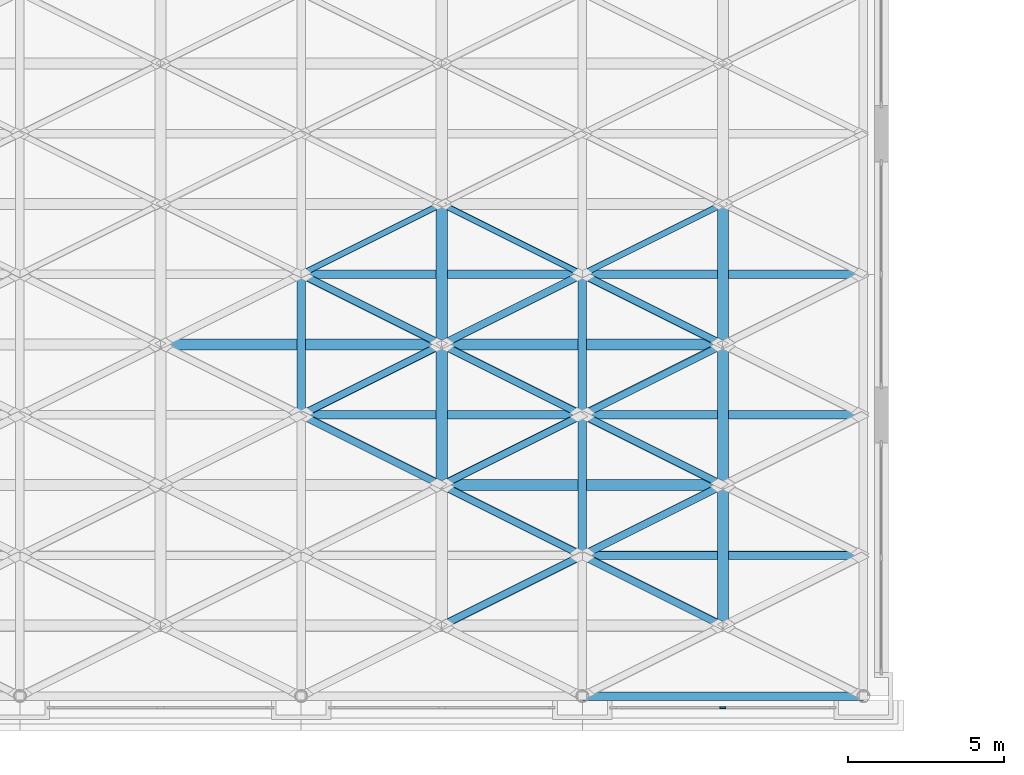
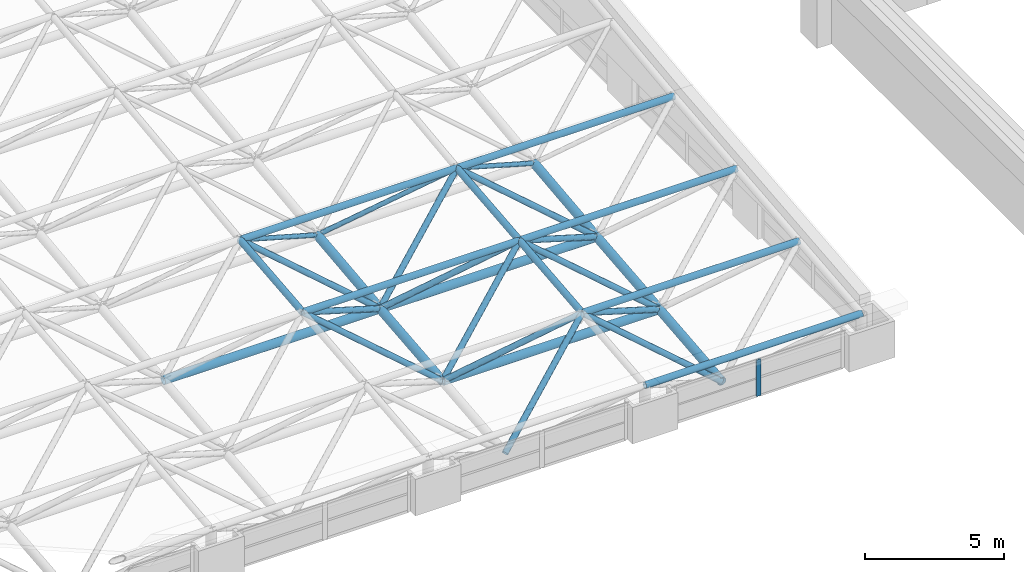
# One storey, part 13 of 53: 34 members, 1 element without a shape of its own.
"""IFC4 building model written with IfcOpenShell, lengths in metres."""

import ifcopenshell
import ifcopenshell.guid

model = None  # the IFC model being written
_history = None  # IfcOwnerHistory: only IFC2X3 demands one
_inside = {}  # id of a spatial element -> (the spatial element, [elements in it])
_under = {}  # id of a project, library or spatial element -> (it, [spatial elements below it])
_declared = {}  # id of a project -> (the project, [libraries it declares])
_typed = {}  # id of a type object -> (the type object, [elements of that type])
_made_of = {}  # id of a material, layer set ... -> (it, [elements and type objects made of it])


def new_model(schema):
    """Start an empty IFC model of exactly this schema.

    Asked for "IFC4X3", IfcOpenShell would pick the latest addendum, in which some entities
    have other attributes; the version numbers below select the first issue.
    IFC2X3 requires an IfcOwnerHistory on every rooted entity: one is made here for all.
    """
    global model, _history
    if schema == "IFC4X3":
        model = ifcopenshell.file(schema_version=(4, 3, 0, 0))
    else:
        model = ifcopenshell.file(schema=schema)
    _inside.clear()
    _under.clear()
    _declared.clear()
    _typed.clear()
    _made_of.clear()
    _history = None
    if model.schema == "IFC2X3":
        org = make("IfcOrganization", Name="unknown")
        user = make(
            "IfcPersonAndOrganization",
            ThePerson=make("IfcPerson", FamilyName="unknown"),
            TheOrganization=org,
        )
        app = make(
            "IfcApplication",
            ApplicationDeveloper=org,
            Version="unknown",
            ApplicationFullName="unknown",
            ApplicationIdentifier="unknown",
        )
        _history = make(
            "IfcOwnerHistory",
            OwningUser=user,
            OwningApplication=app,
            ChangeAction="ADDED",
            CreationDate=0,
        )
    return model


def make(cls, **values):
    """One entity of the class cls with the attributes given. An attribute that is None is left unset."""
    return model.create_entity(
        cls, **{name: value for name, value in values.items() if value is not None}
    )


def rooted(cls, **values):
    """An entity with a GlobalId (a new one), such as an element, a storey or a relation."""
    return make(cls, GlobalId=ifcopenshell.guid.new(), OwnerHistory=_history, **values)


def si_unit(unit_type, name, prefix=None):
    """IfcSIUnit, for example si_unit("LENGTHUNIT", "METRE", prefix="MILLI")."""
    return make("IfcSIUnit", UnitType=unit_type, Prefix=prefix, Name=name)


def assignment(units):
    """IfcUnitAssignment: the units of a project."""
    return None if units is None else make("IfcUnitAssignment", Units=units)


def point(xyz):
    """IfcCartesianPoint."""
    return None if xyz is None else make("IfcCartesianPoint", Coordinates=xyz)


def direction(xyz):
    """IfcDirection."""
    return None if xyz is None else make("IfcDirection", DirectionRatios=xyz)


def frame(location, z_axis=None, x_axis=None):
    """IfcAxis2Placement3D, a coordinate frame: its origin and axes. An axis left out is left unset."""
    return make(
        "IfcAxis2Placement3D",
        Location=point(location),
        Axis=direction(z_axis),
        RefDirection=direction(x_axis),
    )


def frame_2d(location, x_axis=None):
    """IfcAxis2Placement2D, a coordinate frame in the plane: its origin and x axis."""
    return make(
        "IfcAxis2Placement2D", Location=point(location), RefDirection=direction(x_axis)
    )


def origin():
    """The frame at (0, 0, 0) with its axes left unset."""
    return frame((0.0, 0.0, 0.0))


def origin_2d():
    """The frame at (0, 0) in the plane with its x axis left unset."""
    return frame_2d((0.0, 0.0))


def place(relative_to, where):
    """IfcLocalPlacement: puts the frame where relative to a parent placement (None: the world)."""
    return make(
        "IfcLocalPlacement", PlacementRelTo=relative_to, RelativePlacement=where
    )


def context(
    kind, dimensions, precision=None, world=None, true_north=None, identifier=None
):
    """IfcGeometricRepresentationContext, for example the 3D "Model" context."""
    return make(
        "IfcGeometricRepresentationContext",
        ContextIdentifier=identifier,
        ContextType=kind,
        CoordinateSpaceDimension=dimensions,
        Precision=precision,
        WorldCoordinateSystem=world,
        TrueNorth=true_north,
    )


def subcontext(parent, identifier, kind, view, scale=None):
    """IfcGeometricRepresentationSubContext, for example "Body" below "Model"."""
    return make(
        "IfcGeometricRepresentationSubContext",
        ContextIdentifier=identifier,
        ContextType=kind,
        ParentContext=parent,
        TargetScale=scale,
        TargetView=view,
    )


def project(units=None, contexts=None):
    """IfcProject with its units and contexts."""
    return rooted(
        "IfcProject",
        Name="project",
        RepresentationContexts=contexts,
        UnitsInContext=assignment(units),
    )


def spatial(cls, under=None, at=None, **own):
    """A site, building, storey or space (cls), placed at a placement, below another one or the project."""
    s = rooted(cls, ObjectPlacement=at, **own)
    if under is not None:
        _under.setdefault(under.id(), (under, []))[1].append(s)
    return s


def profile(cls, at=None, kind="AREA", **sizes):
    """A parametric profile (cls). Its sizes go by their IFC names, for example OverallWidth=200.0."""
    return make(cls, ProfileType=kind, Position=at, **sizes)


def rectangle(**sizes):
    """IfcRectangleProfileDef."""
    return profile("IfcRectangleProfileDef", **sizes)


def hollow_circle(**sizes):
    """IfcCircleHollowProfileDef."""
    return profile("IfcCircleHollowProfileDef", **sizes)


def extrude(swept, where, along, depth):
    """IfcExtrudedAreaSolid: the profile swept, set in the frame where, extruded along a direction by depth."""
    return make(
        "IfcExtrudedAreaSolid",
        SweptArea=swept,
        Position=where,
        ExtrudedDirection=direction(along),
        Depth=depth,
    )


def shape(context_of_items, identifier, shape_type, items):
    """IfcShapeRepresentation: the items that make up one representation, for example the "Body"."""
    return make(
        "IfcShapeRepresentation",
        ContextOfItems=context_of_items,
        RepresentationIdentifier=identifier,
        RepresentationType=shape_type,
        Items=items,
    )


def material(Name=None, Category=None):
    """IfcMaterial."""
    return make("IfcMaterial", Name=Name, Category=Category)


def material_profile(
    of_material, cross_section, Name=None, Category=None, Priority=None
):
    """IfcMaterialProfile: a cross section and its material."""
    return make(
        "IfcMaterialProfile",
        Name=Name,
        Material=of_material,
        Profile=cross_section,
        Priority=Priority,
        Category=Category,
    )


def profile_set(profiles, Name=None, composite=None):
    """IfcMaterialProfileSet."""
    return make(
        "IfcMaterialProfileSet",
        Name=Name,
        MaterialProfiles=profiles,
        CompositeProfile=composite,
    )


def made_of(thing, what):
    """Note that an element or type object is made of a material, layer set ...; save() writes the relation."""
    if what is not None:
        _made_of.setdefault(what.id(), (what, []))[1].append(thing)
    return thing


def type_object(cls, material=None, **own):
    """A type object (cls), such as IfcWallType, which elements share."""
    return made_of(rooted(cls, **own), material)


def element(
    cls,
    number,
    at=None,
    inside=None,
    cuts=None,
    type_object=None,
    material=None,
    context=None,
    identifier="Body",
    shape_type=None,
    held_by="IfcProductDefinitionShape",
    body=None,
    shapes=None,
    **own,
):
    """One element of the class cls, such as IfcWall. Its Tag is "e" and its number.

    at: its placement. inside: the storey or other place that contains it. cuts: it is an
    opening in that element (IfcRelVoidsElement). A single representation is given by context,
    identifier, shape_type and body (its items); several are given by shapes. held_by: the class
    of the entity that holds the representations. save() writes the other relations.
    """
    e = rooted(cls, Tag="e%d" % number, ObjectPlacement=at, **own)
    if body is not None:
        shapes = [shape(context, identifier, shape_type, body)]
    if shapes is not None:
        e.Representation = make(held_by, Representations=shapes)
    if inside is not None:
        _inside.setdefault(inside.id(), (inside, []))[1].append(e)
    if cuts is not None:
        rooted(
            "IfcRelVoidsElement", RelatingBuildingElement=cuts, RelatedOpeningElement=e
        )
    if type_object is not None:
        _typed.setdefault(type_object.id(), (type_object, []))[1].append(e)
    return made_of(e, material)


def aggregate(whole, parts):
    """IfcRelAggregates: a whole, such as a stair, and the parts it consists of."""
    return rooted("IfcRelAggregates", RelatingObject=whole, RelatedObjects=parts)


def save(model, path):
    """Write the relations noted so far, then the file.

    IfcRelAggregates (storeys below a building ...), IfcRelContainedInSpatialStructure (elements
    in a storey), IfcRelDefinesByType, IfcRelAssociatesMaterial and IfcRelDeclares: one each for
    every whole, place, type object, material and project.
    """
    for whole, parts in _under.values():
        aggregate(whole, parts)
    for where, things in _inside.values():
        rooted(
            "IfcRelContainedInSpatialStructure",
            RelatedElements=things,
            RelatingStructure=where,
        )
    for kind, things in _typed.values():
        rooted("IfcRelDefinesByType", RelatedObjects=things, RelatingType=kind)
    for what, things in _made_of.values():
        rooted("IfcRelAssociatesMaterial", RelatedObjects=things, RelatingMaterial=what)
    for by, libraries in _declared.values():
        rooted("IfcRelDeclares", RelatingContext=by, RelatedDefinitions=libraries)
    model.write(path)


model = new_model("IFC4")

# Units and contexts
model_context = context("Model", 3, precision=1e-05, world=origin(), true_north=direction((0.0, 1.0)))
body_context = subcontext(model_context, "Body", "Model", "MODEL_VIEW")
ifc_project = project(units=[si_unit("LENGTHUNIT", "METRE"), si_unit("AREAUNIT", "SQUARE_METRE"), si_unit("VOLUMEUNIT", "CUBIC_METRE"), si_unit("PLANEANGLEUNIT", "RADIAN"), si_unit("MASSUNIT", "GRAM", prefix="KILO")], contexts=[model_context])

# Site, building, storey
site_placement = place(None, origin())
site = spatial("IfcSite", under=ifc_project, at=site_placement, CompositionType="ELEMENT")
building_placement = place(site_placement, origin())
building = spatial("IfcBuilding", under=site, at=building_placement, Name="Aravalli Gate Trade Fair Centre", CompositionType="ELEMENT")
storey_placement = place(building_placement, frame((0.0, 0.0, 25.199951171875)))
storey = spatial("IfcBuildingStorey", under=building, at=storey_placement, Name="ROOF LEVEL 2", CompositionType="ELEMENT", Elevation=25.199951171875)

# Members
ifc_material_1 = material(Name="Steel E350", Category="steel")
ifc_material_profile_1 = material_profile(ifc_material_1, hollow_circle(Radius=0.096923828125, WallThickness=0.00634765625, at=origin_2d()), Name="CHS 193.7x6.3")
ifc_profile_set_1 = profile_set([ifc_material_profile_1], Name="Steel E350")
member_type_1 = type_object("IfcMemberType", Name="CHS 193.7x6.3", PredefinedType="BRACE", material=ifc_profile_set_1)
for number, where, z_axis, x_axis, name in (
    (1, (87.0, 59.5, 3.150146484375), (0.786469857322, 0.393234928661, -0.476268258867), (-0.4472135955, 0.894427191, 0.0), "Space frame web diagonal D2A"),
    (2, (96.0, 59.5, 3.150146484375), (0.786469857322, 0.393234928661, -0.476268258867), (-0.4472135955, 0.894427191, 0.0), "Space frame web diagonal D2A"),
    (3, (96.0, 59.5, 3.150146484375), (-0.786469857322, 0.393234928661, -0.476268258867), (-0.4472135955, -0.894427191, 0.0), "Space frame web diagonal D2B"),
):
    element("IfcMember", number, at=place(storey_placement, frame(where, z_axis=z_axis, x_axis=x_axis)), inside=storey, type_object=member_type_1, Name=name, PredefinedType="BRACE", context=body_context, shape_type="SweptSolid", body=[
        extrude(hollow_circle(Radius=0.096923828125, WallThickness=0.00634765625, at=origin_2d()), origin(), (0.0, 0.0, 1.0), 5.7216796875),
    ])
ifc_material_profile_2 = material_profile(ifc_material_1, hollow_circle(Radius=0.122314453125, WallThickness=0.008056640625, at=origin_2d()), Name="CHS 244.5x8")
ifc_profile_set_2 = profile_set([ifc_material_profile_2], Name="Steel E350")
member_type_2 = type_object("IfcMemberType", Name="CHS 244.5x8", PredefinedType="BRACE", material=ifc_profile_set_2)
for number, where, z_axis, x_axis, name in (
    (4, (96.0, 50.5, 2.25), (0.783200147531, 0.391600073766, -0.48295642778), (-0.4472135955, 0.894427191, 0.0), "Space frame web diagonal D1A"),
    (5, (87.0, 55.0, 2.699951171875), (0.783200147531, 0.391600073766, -0.48295642778), (-0.4472135955, 0.894427191, 0.0), "Space frame web diagonal D1A"),
    (6, (96.0, 55.0, 2.699951171875), (0.783200147531, 0.391600073766, -0.48295642778), (-0.4472135955, 0.894427191, 0.0), "Space frame web diagonal D1A"),
    (7, (96.0, 50.5, 2.25), (-0.783200147531, 0.391600073766, -0.48295642778), (-0.4472135955, -0.894427191, 0.0), "Space frame web diagonal D1B"),
    (8, (96.0, 55.0, 2.699951171875), (-0.783200147531, 0.391600073766, -0.48295642778), (-0.4472135955, -0.894427191, 0.0), "Space frame web diagonal D1B"),
):
    element("IfcMember", number, at=place(storey_placement, frame(where, z_axis=z_axis, x_axis=x_axis)), inside=storey, type_object=member_type_2, Name=name, PredefinedType="BRACE", context=body_context, shape_type="SweptSolid", body=[
        extrude(hollow_circle(Radius=0.122314453125, WallThickness=0.008056640625, at=origin_2d()), origin(), (0.0, 0.0, 1.0), 5.74560546875),
    ])
for number, where, z_axis, x_axis, name in (
    (9, (96.0, 50.5, 2.25), (0.753016221047, -0.376508110523, -0.539637112837), (0.4472135955, 0.894427191, 0.0), "Space frame web diagonal D1C"),
    (10, (87.0, 55.0, 2.699951171875), (0.753016221047, -0.376508110523, -0.539637112837), (0.4472135955, 0.894427191, 0.0), "Space frame web diagonal D1C"),
    (11, (96.0, 55.0, 2.699951171875), (0.753016221047, -0.376508110523, -0.539637112837), (0.4472135955, 0.894427191, 0.0), "Space frame web diagonal D1C"),
    (12, (87.0, 59.5, 3.150146484375), (0.752999619823, -0.376499809912, -0.539666068678), (0.4472135955, 0.894427191, 0.0), "Space frame web diagonal D1C"),
    (13, (96.0, 59.5, 3.150146484375), (0.752999619823, -0.376499809912, -0.539666068678), (0.4472135955, 0.894427191, 0.0), "Space frame web diagonal D1C"),
    (14, (96.0, 50.5, 2.25), (-0.753016221047, -0.376508110523, -0.539637112837), (0.4472135955, -0.894427191, 0.0), "Space frame web diagonal D1D"),
    (15, (96.0, 55.0, 2.699951171875), (-0.753016221047, -0.376508110523, -0.539637112837), (0.4472135955, -0.894427191, 0.0), "Space frame web diagonal D1D"),
    (16, (96.0, 59.5, 3.150146484375), (-0.752999619823, -0.376499809912, -0.539666068678), (0.4472135955, -0.894427191, 0.0), "Space frame web diagonal D1D"),
):
    element("IfcMember", number, at=place(storey_placement, frame(where, z_axis=z_axis, x_axis=x_axis)), inside=storey, type_object=member_type_2, Name=name, PredefinedType="BRACE", context=body_context, shape_type="SweptSolid", body=[
        extrude(hollow_circle(Radius=0.122314453125, WallThickness=0.008056640625, at=origin_2d()), origin(), (0.0, 0.0, 1.0), 5.97607421875),
    ])
ifc_material_profile_3 = material_profile(ifc_material_1, hollow_circle(Radius=0.136474609375, WallThickness=0.010009765625, at=origin_2d()), Name="CHS 273.1x10")
ifc_profile_set_3 = profile_set([ifc_material_profile_3], Name="Steel E350")
member_type_3 = type_object("IfcMemberType", Name="CHS 273.1x10", PredefinedType="CHORD", material=ifc_profile_set_3)
for number, where, z_axis, x_axis, name in (
    (17, (96.0, 50.5, 2.25), (1.0, 0.0, 0.0), (0.0, 1.0, 0.0), "Space frame top chord along the lines T1"),
    (18, (87.0, 55.0, 2.699951171875), (1.0, 0.0, 0.0), (0.0, 1.0, 0.0), "Space frame top chord along the lines T1"),
    (19, (96.0, 55.0, 2.699951171875), (1.0, 0.0, 0.0), (0.0, 1.0, 0.0), "Space frame top chord along the lines T1"),
    (20, (87.0, 59.5, 3.150146484375), (1.0, 0.0, 0.0), (0.0, 1.0, 0.0), "Space frame top chord along the lines T2"),
    (21, (96.0, 59.5, 3.150146484375), (1.0, 0.0, 0.0), (0.0, 1.0, 0.0), "Space frame top chord along the lines T2"),
):
    element("IfcMember", number, at=place(storey_placement, frame(where, z_axis=z_axis, x_axis=x_axis)), inside=storey, type_object=member_type_3, Name=name, PredefinedType="CHORD", context=body_context, shape_type="SweptSolid", body=[
        extrude(hollow_circle(Radius=0.136474609375, WallThickness=0.010009765625, at=origin_2d()), origin(), (0.0, 0.0, 1.0), 9.0),
    ])
for number, where, z_axis, x_axis, name in (
    (22, (87.0, 55.0, 2.699951171875), (0.0, 0.995032913332, 0.099546478526), (-1.0, 0.0, 0.0), "Space frame top chord across the vault Y1"),
    (23, (96.0, 50.5, 2.25), (0.0, 0.995038259148, 0.099493029059), (-1.0, 0.0, 0.0), "Space frame top chord across the vault Y1"),
    (24, (96.0, 55.0, 2.699951171875), (0.0, 0.995032913332, 0.099546478526), (-1.0, 0.0, 0.0), "Space frame top chord across the vault Y1"),
):
    element("IfcMember", number, at=place(storey_placement, frame(where, z_axis=z_axis, x_axis=x_axis)), inside=storey, type_object=member_type_3, Name=name, PredefinedType="CHORD", context=body_context, shape_type="SweptSolid", body=[
        extrude(hollow_circle(Radius=0.136474609375, WallThickness=0.010009765625, at=origin_2d()), origin(), (0.0, 0.0, 1.0), 4.5224609375),
    ])
ifc_material_profile_4 = material_profile(ifc_material_1, hollow_circle(Radius=0.136474609375, WallThickness=0.01611328125, at=origin_2d()), Name="CHS 273.1x16")
ifc_profile_set_4 = profile_set([ifc_material_profile_4], Name="Steel E350")
member_type_4 = type_object("IfcMemberType", Name="CHS 273.1x16", PredefinedType="CHORD", material=ifc_profile_set_4)
member_1_placement = place(storey_placement, frame((96.0, 46.0, 1.800048828125), z_axis=(1.0, 0.0, 0.0), x_axis=(0.0, 1.0, 0.0)))
element("IfcMember", 25, at=member_1_placement, inside=storey, type_object=member_type_4, Name="Space frame top chord along the lines TE", PredefinedType="CHORD", context=body_context, shape_type="SweptSolid", body=[
    extrude(hollow_circle(Radius=0.136474609375, WallThickness=0.01611328125, at=origin_2d()), origin(), (0.0, 0.0, 1.0), 9.0),
])
ifc_material_profile_5 = material_profile(ifc_material_1, hollow_circle(Radius=0.177734375, WallThickness=0.010009765625, at=origin_2d()), Name="CHS 355.6x10")
ifc_profile_set_5 = profile_set([ifc_material_profile_5], Name="Steel E350")
member_type_5 = type_object("IfcMemberType", Name="CHS 355.6x10", PredefinedType="CHORD", material=ifc_profile_set_5)
for number, where, z_axis, x_axis, name in (
    (26, (91.5, 52.75, -0.52490234375), (1.0, 0.0, 0.0), (0.0, 1.0, 0.0), "Space frame bottom chord along the lines B1"),
    (27, (82.5, 57.25, -0.074951171875), (1.0, 0.0, 0.0), (0.0, 1.0, 0.0), "Space frame bottom chord along the lines B1"),
    (28, (91.5, 57.25, -0.074951171875), (1.0, 0.0, 0.0), (0.0, 1.0, 0.0), "Space frame bottom chord along the lines B1"),
):
    element("IfcMember", number, at=place(storey_placement, frame(where, z_axis=z_axis, x_axis=x_axis)), inside=storey, type_object=member_type_5, Name=name, PredefinedType="CHORD", context=body_context, shape_type="SweptSolid", body=[
        extrude(hollow_circle(Radius=0.177734375, WallThickness=0.010009765625, at=origin_2d()), origin(), (0.0, 0.0, 1.0), 9.0),
    ])
for number, where, z_axis, x_axis, name in (
    (29, (91.5, 52.75, -0.52490234375), (0.0, 0.995038259148, 0.099493029059), (-1.0, 0.0, 0.0), "Space frame bottom chord across the vault C1"),
    (30, (100.5, 48.25, -0.974853515625), (0.0, 0.995038259148, 0.099493029059), (-1.0, 0.0, 0.0), "Space frame bottom chord across the vault C1"),
    (31, (100.5, 52.75, -0.52490234375), (0.0, 0.995038259148, 0.099493029059), (-1.0, 0.0, 0.0), "Space frame bottom chord across the vault C1"),
):
    element("IfcMember", number, at=place(storey_placement, frame(where, z_axis=z_axis, x_axis=x_axis)), inside=storey, type_object=member_type_5, Name=name, PredefinedType="CHORD", context=body_context, shape_type="SweptSolid", body=[
        extrude(hollow_circle(Radius=0.177734375, WallThickness=0.010009765625, at=origin_2d()), origin(), (0.0, 0.0, 1.0), 4.5224609375),
    ])
for number, where, z_axis, x_axis, name in (
    (32, (91.5, 57.25, -0.074951171875), (0.0, 0.993883734674, 0.110431526075), (-1.0, 0.0, 0.0), "Space frame bottom chord across the vault C2"),
    (33, (100.5, 57.25, -0.074951171875), (0.0, 0.993883734674, 0.110431526075), (-1.0, 0.0, 0.0), "Space frame bottom chord across the vault C2"),
):
    element("IfcMember", number, at=place(storey_placement, frame(where, z_axis=z_axis, x_axis=x_axis)), inside=storey, type_object=member_type_5, Name=name, PredefinedType="CHORD", context=body_context, shape_type="SweptSolid", body=[
        extrude(hollow_circle(Radius=0.177734375, WallThickness=0.010009765625, at=origin_2d()), origin(), (0.0, 0.0, 1.0), 4.527587890625),
    ])

# Curtain wall, member
ifc_material_2 = material(Name="Aluminium, glass and louvre", Category="aluminium")
curtain_wall_type = type_object("IfcCurtainWallType", Name="Hall crown curtain wall 3000 module", PredefinedType="NOTDEFINED", material=ifc_material_2)
curtain_wall_placement = place(storey_placement, origin())
curtain_wall = element("IfcCurtainWall", 34, at=curtain_wall_placement, inside=storey, type_object=curtain_wall_type, Name="Hall south crown curtain wall bay 11 ROOF LEVEL 2", PredefinedType="NOTDEFINED")
ifc_material_3 = material(Name="Aluminium", Category="aluminium")
ifc_material_profile_6 = material_profile(ifc_material_3, rectangle(XDim=0.06005859375, YDim=0.199951171875, at=origin_2d()), Name="Hall curtain wall mullion 60 x 200")
ifc_profile_set_6 = profile_set([ifc_material_profile_6], Name="Aluminium")
member_type_6 = type_object("IfcMemberType", Name="Hall curtain wall mullion 60 x 200", PredefinedType="MULLION", material=ifc_profile_set_6)
member_2_placement = place(storey_placement, frame((100.5, 45.625, 0.0), z_axis=(0.0, 0.0, 1.0), x_axis=(0.0, 1.0, 0.0)))
member_2 = element("IfcMember", 35, at=member_2_placement, type_object=member_type_6, Name="HCW1 mullion 2", PredefinedType="MULLION", context=body_context, shape_type="SweptSolid", body=[
    extrude(rectangle(XDim=0.06005859375, YDim=0.199951171875, at=origin_2d()), origin(), (0.0, 0.0, 1.0), 1.60009765625),
])
aggregate(curtain_wall, [member_2])

save(model, "model.ifc")
